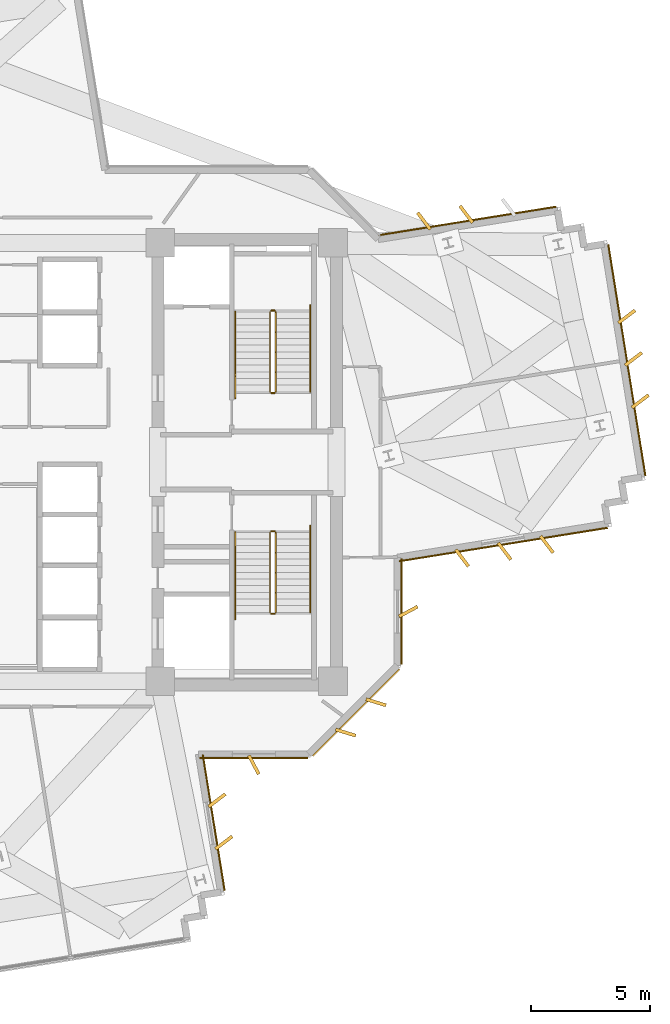
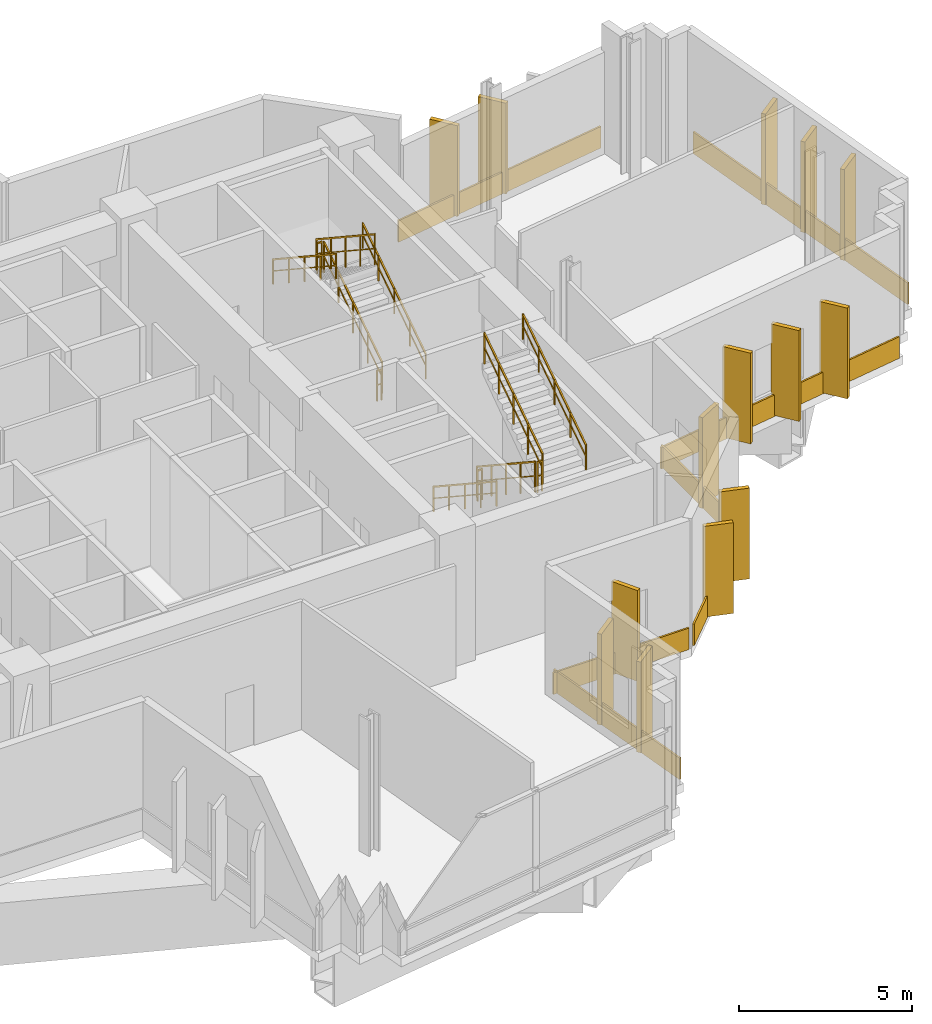
# One storey, part 11 of 12: 21 coverings, 12 railings.
"""IFC4 building model written with IfcOpenShell, lengths in metres."""

from ifc_helpers import new_model, si_unit, direction, frame, origin, origin_2d, place, context, subcontext, project, spatial, rectangle, extrude, source, transform, mapped, material, layer, layer_set, type_object, element, save


model = new_model("IFC4")

# Units and contexts
model_context = context("Model", 3, precision=1e-05, world=origin(), true_north=direction((0.0, 1.0)))
body_context = subcontext(model_context, "Body", "Model", "MODEL_VIEW")
ifc_project = project(units=[si_unit("LENGTHUNIT", "METRE"), si_unit("AREAUNIT", "SQUARE_METRE"), si_unit("VOLUMEUNIT", "CUBIC_METRE"), si_unit("PLANEANGLEUNIT", "RADIAN"), si_unit("MASSUNIT", "GRAM", prefix="KILO")], contexts=[model_context])

# Site, building, storey
site_placement = place(None, origin())
site = spatial("IfcSite", under=ifc_project, at=site_placement, CompositionType="ELEMENT")
building_placement = place(site_placement, origin())
building = spatial("IfcBuilding", under=site, at=building_placement, Name="Zahravan Cultural Tower", CompositionType="ELEMENT")
storey_placement = place(building_placement, frame((0.0, 0.0, 130.800048828125)))
storey = spatial("IfcBuildingStorey", under=building, at=storey_placement, Name="L29", CompositionType="ELEMENT", Elevation=130.800048828125)

# Railings
ifc_material_1 = material(Name="Steel ASTM A572 Grade 50", Category="steel")
railing_type_1 = type_object("IfcRailingType", Name="RL-STAIR-GRD1150", PredefinedType="BALUSTRADE", material=ifc_material_1)
railing_1_placement = place(storey_placement, frame((47.949951171875, 29.949951171875, 0.1845703125)))
element("IfcRailing", 1, at=railing_1_placement, inside=storey, type_object=railing_type_1, Name="L29 ST-E1 stair guard 1", PredefinedType="BALUSTRADE", context=body_context, shape_type="SweptSolid", body=[
    extrude(rectangle(XDim=0.05, YDim=0.05, at=origin_2d()), frame((0.0, 0.0, 1.0751953125), z_axis=(0.0, 0.834876476806, 0.550437342915), x_axis=(-1.0, 0.0, 0.0)), (0.0, 0.0, 1.0), 4.024658203125),
    extrude(rectangle(XDim=0.032, YDim=0.032, at=origin_2d()), frame((0.0, 0.0, 0.572021484375), z_axis=(0.0, 0.834876476806, 0.550437342915), x_axis=(-1.0, 0.0, 0.0)), (0.0, 0.0, 1.0), 4.024658203125),
    extrude(rectangle(XDim=0.04, YDim=0.04, at=origin_2d()), origin(), (0.0, 0.0, 1.0), 1.10009765625),
    extrude(rectangle(XDim=0.04, YDim=0.04, at=origin_2d()), frame((0.0, 0.840087890625, 0.5537109375)), (0.0, 0.0, 1.0), 1.10009765625),
    extrude(rectangle(XDim=0.04, YDim=0.04, at=origin_2d()), frame((0.0, 1.68017578125, 1.107666015625)), (0.0, 0.0, 1.0), 1.10009765625),
    extrude(rectangle(XDim=0.04, YDim=0.04, at=origin_2d()), frame((0.0, 2.52001953125, 1.66162109375)), (0.0, 0.0, 1.0), 1.10009765625),
    extrude(rectangle(XDim=0.04, YDim=0.04, at=origin_2d()), frame((0.0, 3.360107421875, 2.21533203125)), (0.0, 0.0, 1.0), 1.10009765625),
])
railing_2_placement = place(storey_placement, frame((47.89990234375, 33.360107421875, 2.39990234375)))
element("IfcRailing", 2, at=railing_2_placement, inside=storey, type_object=railing_type_1, Name="L29 ST-E1 stair guard 2", PredefinedType="BALUSTRADE", context=body_context, shape_type="SweptSolid", body=[
    extrude(rectangle(XDim=0.05, YDim=0.05, at=origin_2d()), frame((0.0, 0.0, 1.0751953125), z_axis=(-1.0, 0.0, 0.0), x_axis=(0.0, -1.0, 0.0)), (0.0, 0.0, 1.0), 0.14990234375),
    extrude(rectangle(XDim=0.032, YDim=0.032, at=origin_2d()), frame((0.0, 0.0, 0.572021484375), z_axis=(-1.0, 0.0, 0.0), x_axis=(0.0, -1.0, 0.0)), (0.0, 0.0, 1.0), 0.14990234375),
    extrude(rectangle(XDim=0.04, YDim=0.04, at=origin_2d()), origin(), (0.0, 0.0, 1.0), 1.10009765625),
    extrude(rectangle(XDim=0.04, YDim=0.04, at=origin_2d()), frame((-0.14990234375, 0.0, 0.0)), (0.0, 0.0, 1.0), 1.10009765625),
])
railing_3_placement = place(storey_placement, frame((47.699951171875, 33.31005859375, 2.58447265625)))
element("IfcRailing", 3, at=railing_3_placement, inside=storey, type_object=railing_type_1, Name="L29 ST-E1 stair guard 3", PredefinedType="BALUSTRADE", context=body_context, shape_type="SweptSolid", body=[
    extrude(rectangle(XDim=0.05, YDim=0.05, at=origin_2d()), frame((0.0, 0.0, 1.0751953125), z_axis=(0.0, -0.834848600103, 0.550479622607), x_axis=(1.0, 0.0, 0.0)), (0.0, 0.0, 1.0), 4.02490234375),
    extrude(rectangle(XDim=0.032, YDim=0.032, at=origin_2d()), frame((0.0, 0.0, 0.572021484375), z_axis=(0.0, -0.834848600103, 0.550479622607), x_axis=(1.0, 0.0, 0.0)), (0.0, 0.0, 1.0), 4.02490234375),
    extrude(rectangle(XDim=0.04, YDim=0.04, at=origin_2d()), origin(), (0.0, 0.0, 1.0), 1.10009765625),
    extrude(rectangle(XDim=0.04, YDim=0.04, at=origin_2d()), frame((0.0, -0.840087890625, 0.553955078125)), (0.0, 0.0, 1.0), 1.10009765625),
    extrude(rectangle(XDim=0.04, YDim=0.04, at=origin_2d()), frame((0.0, -1.68017578125, 1.10791015625)), (0.0, 0.0, 1.0), 1.10009765625),
    extrude(rectangle(XDim=0.04, YDim=0.04, at=origin_2d()), frame((0.0, -2.52001953125, 1.66162109375)), (0.0, 0.0, 1.0), 1.10009765625),
    extrude(rectangle(XDim=0.04, YDim=0.04, at=origin_2d()), frame((0.0, -3.360107421875, 2.215576171875)), (0.0, 0.0, 1.0), 1.10009765625),
])
railing_4_placement = place(storey_placement, frame((47.89990234375, 29.89990234375, 0.0)))
element("IfcRailing", 4, at=railing_4_placement, inside=storey, type_object=railing_type_1, Name="L29 ST-E1 stair guard 4", PredefinedType="BALUSTRADE", context=body_context, shape_type="SweptSolid", body=[
    extrude(rectangle(XDim=0.05, YDim=0.05, at=origin_2d()), frame((0.0, 0.0, 1.0751953125), z_axis=(-1.0, 0.0, 0.0), x_axis=(0.0, -1.0, 0.0)), (0.0, 0.0, 1.0), 0.14990234375),
    extrude(rectangle(XDim=0.032, YDim=0.032, at=origin_2d()), frame((0.0, 0.0, 0.572021484375), z_axis=(-1.0, 0.0, 0.0), x_axis=(0.0, -1.0, 0.0)), (0.0, 0.0, 1.0), 0.14990234375),
    extrude(rectangle(XDim=0.04, YDim=0.04, at=origin_2d()), origin(), (0.0, 0.0, 1.0), 1.10009765625),
    extrude(rectangle(XDim=0.04, YDim=0.04, at=origin_2d()), frame((-0.14990234375, 0.0, 0.0)), (0.0, 0.0, 1.0), 1.10009765625),
])
railing_5_placement = place(storey_placement, frame((47.699951171875, 24.050048828125, 0.1845703125)))
element("IfcRailing", 5, at=railing_5_placement, inside=storey, type_object=railing_type_1, Name="L29 ST-E2 stair guard 1", PredefinedType="BALUSTRADE", context=body_context, shape_type="SweptSolid", body=[
    extrude(rectangle(XDim=0.05, YDim=0.05, at=origin_2d()), frame((0.0, 0.0, 1.0751953125), z_axis=(0.0, -0.834876476806, 0.550437342915), x_axis=(1.0, 0.0, 0.0)), (0.0, 0.0, 1.0), 4.024658203125),
    extrude(rectangle(XDim=0.032, YDim=0.032, at=origin_2d()), frame((0.0, 0.0, 0.572021484375), z_axis=(0.0, -0.834876476806, 0.550437342915), x_axis=(1.0, 0.0, 0.0)), (0.0, 0.0, 1.0), 4.024658203125),
    extrude(rectangle(XDim=0.04, YDim=0.04, at=origin_2d()), origin(), (0.0, 0.0, 1.0), 1.10009765625),
    extrude(rectangle(XDim=0.04, YDim=0.04, at=origin_2d()), frame((0.0, -0.840087890625, 0.5537109375)), (0.0, 0.0, 1.0), 1.10009765625),
    extrude(rectangle(XDim=0.04, YDim=0.04, at=origin_2d()), frame((0.0, -1.68017578125, 1.107666015625)), (0.0, 0.0, 1.0), 1.10009765625),
    extrude(rectangle(XDim=0.04, YDim=0.04, at=origin_2d()), frame((0.0, -2.52001953125, 1.66162109375)), (0.0, 0.0, 1.0), 1.10009765625),
    extrude(rectangle(XDim=0.04, YDim=0.04, at=origin_2d()), frame((0.0, -3.360107421875, 2.21533203125)), (0.0, 0.0, 1.0), 1.10009765625),
])
railing_6_placement = place(storey_placement, frame((47.75, 20.639892578125, 2.39990234375)))
element("IfcRailing", 6, at=railing_6_placement, inside=storey, type_object=railing_type_1, Name="L29 ST-E2 stair guard 2", PredefinedType="BALUSTRADE", context=body_context, shape_type="SweptSolid", body=[
    extrude(rectangle(XDim=0.05, YDim=0.05, at=origin_2d()), frame((0.0, 0.0, 1.0751953125), z_axis=(1.0, 0.0, 0.0), x_axis=(0.0, 1.0, 0.0)), (0.0, 0.0, 1.0), 0.14990234375),
    extrude(rectangle(XDim=0.032, YDim=0.032, at=origin_2d()), frame((0.0, 0.0, 0.572021484375), z_axis=(1.0, 0.0, 0.0), x_axis=(0.0, 1.0, 0.0)), (0.0, 0.0, 1.0), 0.14990234375),
    extrude(rectangle(XDim=0.04, YDim=0.04, at=origin_2d()), origin(), (0.0, 0.0, 1.0), 1.10009765625),
    extrude(rectangle(XDim=0.04, YDim=0.04, at=origin_2d()), frame((0.14990234375, 0.0, 0.0)), (0.0, 0.0, 1.0), 1.10009765625),
])
railing_7_placement = place(storey_placement, frame((47.949951171875, 20.68994140625, 2.58447265625)))
element("IfcRailing", 7, at=railing_7_placement, inside=storey, type_object=railing_type_1, Name="L29 ST-E2 stair guard 3", PredefinedType="BALUSTRADE", context=body_context, shape_type="SweptSolid", body=[
    extrude(rectangle(XDim=0.05, YDim=0.05, at=origin_2d()), frame((0.0, 0.0, 1.0751953125), z_axis=(0.0, 0.834848600103, 0.550479622607), x_axis=(-1.0, 0.0, 0.0)), (0.0, 0.0, 1.0), 4.02490234375),
    extrude(rectangle(XDim=0.032, YDim=0.032, at=origin_2d()), frame((0.0, 0.0, 0.572021484375), z_axis=(0.0, 0.834848600103, 0.550479622607), x_axis=(-1.0, 0.0, 0.0)), (0.0, 0.0, 1.0), 4.02490234375),
    extrude(rectangle(XDim=0.04, YDim=0.04, at=origin_2d()), origin(), (0.0, 0.0, 1.0), 1.10009765625),
    extrude(rectangle(XDim=0.04, YDim=0.04, at=origin_2d()), frame((0.0, 0.840087890625, 0.553955078125)), (0.0, 0.0, 1.0), 1.10009765625),
    extrude(rectangle(XDim=0.04, YDim=0.04, at=origin_2d()), frame((0.0, 1.68017578125, 1.10791015625)), (0.0, 0.0, 1.0), 1.10009765625),
    extrude(rectangle(XDim=0.04, YDim=0.04, at=origin_2d()), frame((0.0, 2.52001953125, 1.66162109375)), (0.0, 0.0, 1.0), 1.10009765625),
    extrude(rectangle(XDim=0.04, YDim=0.04, at=origin_2d()), frame((0.0, 3.360107421875, 2.215576171875)), (0.0, 0.0, 1.0), 1.10009765625),
])
railing_8_placement = place(storey_placement, frame((47.75, 24.10009765625, 0.0)))
element("IfcRailing", 8, at=railing_8_placement, inside=storey, type_object=railing_type_1, Name="L29 ST-E2 stair guard 4", PredefinedType="BALUSTRADE", context=body_context, shape_type="SweptSolid", body=[
    extrude(rectangle(XDim=0.05, YDim=0.05, at=origin_2d()), frame((0.0, 0.0, 1.0751953125), z_axis=(1.0, 0.0, 0.0), x_axis=(0.0, 1.0, 0.0)), (0.0, 0.0, 1.0), 0.14990234375),
    extrude(rectangle(XDim=0.032, YDim=0.032, at=origin_2d()), frame((0.0, 0.0, 0.572021484375), z_axis=(1.0, 0.0, 0.0), x_axis=(0.0, 1.0, 0.0)), (0.0, 0.0, 1.0), 0.14990234375),
    extrude(rectangle(XDim=0.04, YDim=0.04, at=origin_2d()), origin(), (0.0, 0.0, 1.0), 1.10009765625),
    extrude(rectangle(XDim=0.04, YDim=0.04, at=origin_2d()), frame((0.14990234375, 0.0, 0.0)), (0.0, 0.0, 1.0), 1.10009765625),
])
railing_type_2 = type_object("IfcRailingType", Name="RL-STAIR-HR900", PredefinedType="HANDRAIL", material=ifc_material_1)
railing_9_placement = place(storey_placement, frame((49.39990234375, 29.949951171875, 0.1845703125)))
element("IfcRailing", 9, at=railing_9_placement, inside=storey, type_object=railing_type_2, Name="L29 ST-E1 stair handrail 1", PredefinedType="HANDRAIL", context=body_context, shape_type="SweptSolid", body=[
    extrude(rectangle(XDim=0.05, YDim=0.05, at=origin_2d()), frame((0.0, 0.0, 0.875), z_axis=(0.0, 0.83488217925, 0.55042869363), x_axis=(-1.0, 0.0, 0.0)), (0.0, 0.0, 1.0), 4.360107421875),
    extrude(rectangle(XDim=0.032, YDim=0.032, at=origin_2d()), frame((0.0, 0.0, 0.468017578125), z_axis=(0.0, 0.83488217925, 0.55042869363), x_axis=(-1.0, 0.0, 0.0)), (0.0, 0.0, 1.0), 4.360107421875),
    extrude(rectangle(XDim=0.04, YDim=0.04, at=origin_2d()), origin(), (0.0, 0.0, 1.0), 0.89990234375),
    extrude(rectangle(XDim=0.04, YDim=0.04, at=origin_2d()), frame((0.0, 0.91015625, 0.60009765625)), (0.0, 0.0, 1.0), 0.89990234375),
    extrude(rectangle(XDim=0.04, YDim=0.04, at=origin_2d()), frame((0.0, 1.820068359375, 1.199951171875)), (0.0, 0.0, 1.0), 0.89990234375),
    extrude(rectangle(XDim=0.04, YDim=0.04, at=origin_2d()), frame((0.0, 2.72998046875, 1.7998046875)), (0.0, 0.0, 1.0), 0.89990234375),
    extrude(rectangle(XDim=0.04, YDim=0.04, at=origin_2d()), frame((0.0, 3.64013671875, 2.39990234375)), (0.0, 0.0, 1.0), 0.89990234375),
])
railing_10_placement = place(storey_placement, frame((46.25, 33.31005859375, 2.58447265625)))
element("IfcRailing", 10, at=railing_10_placement, inside=storey, type_object=railing_type_2, Name="L29 ST-E1 stair handrail 2", PredefinedType="HANDRAIL", context=body_context, shape_type="SweptSolid", body=[
    extrude(rectangle(XDim=0.05, YDim=0.05, at=origin_2d()), frame((0.0, 0.0, 0.875), z_axis=(0.0, -0.834856447115, 0.55046772177), x_axis=(1.0, 0.0, 0.0)), (0.0, 0.0, 1.0), 4.360107421875),
    extrude(rectangle(XDim=0.032, YDim=0.032, at=origin_2d()), frame((0.0, 0.0, 0.468017578125), z_axis=(0.0, -0.834856447115, 0.55046772177), x_axis=(1.0, 0.0, 0.0)), (0.0, 0.0, 1.0), 4.360107421875),
    extrude(rectangle(XDim=0.04, YDim=0.04, at=origin_2d()), origin(), (0.0, 0.0, 1.0), 0.89990234375),
    extrude(rectangle(XDim=0.04, YDim=0.04, at=origin_2d()), frame((0.0, -0.91015625, 0.60009765625)), (0.0, 0.0, 1.0), 0.89990234375),
    extrude(rectangle(XDim=0.04, YDim=0.04, at=origin_2d()), frame((0.0, -1.820068359375, 1.2001953125)), (0.0, 0.0, 1.0), 0.89990234375),
    extrude(rectangle(XDim=0.04, YDim=0.04, at=origin_2d()), frame((0.0, -2.72998046875, 1.800048828125)), (0.0, 0.0, 1.0), 0.89990234375),
    extrude(rectangle(XDim=0.04, YDim=0.04, at=origin_2d()), frame((0.0, -3.64013671875, 2.400146484375)), (0.0, 0.0, 1.0), 0.89990234375),
])
railing_11_placement = place(storey_placement, frame((46.25, 24.050048828125, 0.1845703125)))
element("IfcRailing", 11, at=railing_11_placement, inside=storey, type_object=railing_type_2, Name="L29 ST-E2 stair handrail 1", PredefinedType="HANDRAIL", context=body_context, shape_type="SweptSolid", body=[
    extrude(rectangle(XDim=0.05, YDim=0.05, at=origin_2d()), frame((0.0, 0.0, 0.875), z_axis=(0.0, -0.83488217925, 0.55042869363), x_axis=(1.0, 0.0, 0.0)), (0.0, 0.0, 1.0), 4.360107421875),
    extrude(rectangle(XDim=0.032, YDim=0.032, at=origin_2d()), frame((0.0, 0.0, 0.468017578125), z_axis=(0.0, -0.83488217925, 0.55042869363), x_axis=(1.0, 0.0, 0.0)), (0.0, 0.0, 1.0), 4.360107421875),
    extrude(rectangle(XDim=0.04, YDim=0.04, at=origin_2d()), origin(), (0.0, 0.0, 1.0), 0.89990234375),
    extrude(rectangle(XDim=0.04, YDim=0.04, at=origin_2d()), frame((0.0, -0.91015625, 0.60009765625)), (0.0, 0.0, 1.0), 0.89990234375),
    extrude(rectangle(XDim=0.04, YDim=0.04, at=origin_2d()), frame((0.0, -1.820068359375, 1.199951171875)), (0.0, 0.0, 1.0), 0.89990234375),
    extrude(rectangle(XDim=0.04, YDim=0.04, at=origin_2d()), frame((0.0, -2.72998046875, 1.7998046875)), (0.0, 0.0, 1.0), 0.89990234375),
    extrude(rectangle(XDim=0.04, YDim=0.04, at=origin_2d()), frame((0.0, -3.64013671875, 2.39990234375)), (0.0, 0.0, 1.0), 0.89990234375),
])
railing_12_placement = place(storey_placement, frame((49.39990234375, 20.68994140625, 2.58447265625)))
element("IfcRailing", 12, at=railing_12_placement, inside=storey, type_object=railing_type_2, Name="L29 ST-E2 stair handrail 2", PredefinedType="HANDRAIL", context=body_context, shape_type="SweptSolid", body=[
    extrude(rectangle(XDim=0.05, YDim=0.05, at=origin_2d()), frame((0.0, 0.0, 0.875), z_axis=(0.0, 0.834856447115, 0.55046772177), x_axis=(-1.0, 0.0, 0.0)), (0.0, 0.0, 1.0), 4.360107421875),
    extrude(rectangle(XDim=0.032, YDim=0.032, at=origin_2d()), frame((0.0, 0.0, 0.468017578125), z_axis=(0.0, 0.834856447115, 0.55046772177), x_axis=(-1.0, 0.0, 0.0)), (0.0, 0.0, 1.0), 4.360107421875),
    extrude(rectangle(XDim=0.04, YDim=0.04, at=origin_2d()), origin(), (0.0, 0.0, 1.0), 0.89990234375),
    extrude(rectangle(XDim=0.04, YDim=0.04, at=origin_2d()), frame((0.0, 0.91015625, 0.60009765625)), (0.0, 0.0, 1.0), 0.89990234375),
    extrude(rectangle(XDim=0.04, YDim=0.04, at=origin_2d()), frame((0.0, 1.820068359375, 1.2001953125)), (0.0, 0.0, 1.0), 0.89990234375),
    extrude(rectangle(XDim=0.04, YDim=0.04, at=origin_2d()), frame((0.0, 2.72998046875, 1.800048828125)), (0.0, 0.0, 1.0), 0.89990234375),
    extrude(rectangle(XDim=0.04, YDim=0.04, at=origin_2d()), frame((0.0, 3.64013671875, 2.400146484375)), (0.0, 0.0, 1.0), 0.89990234375),
])

# Coverings
ifc_material_2 = material(Name="Terracotta ceramic cladding", Category="masonry")
ifc_layer = layer(ifc_material_2, 0.06005859375)
ifc_layer_set = layer_set([ifc_layer], Name="Terracotta ceramic cladding")
covering_type = type_object("IfcCoveringType", Name="COV-CLAD-TC60", PredefinedType="CLADDING", material=ifc_layer_set)
shared_shape_1 = source(origin(), body_context, "Body", "SweptSolid", [
    extrude(rectangle(XDim=9.820068359375, YDim=0.06005859375, at=origin_2d()), origin(), (0.0, 0.0, 1.0), 0.760009765625),
])
covering_1_placement = place(storey_placement, frame((62.683349609375, 31.283447265625, 0.02001953125), z_axis=(0.0, 0.0, 1.0), x_axis=(0.158502730052, -0.987358539015, 0.0)))
element("IfcCovering", 13, at=covering_1_placement, inside=storey, type_object=covering_type, Name="L29 Terracotta Spandrel Cladding 06", PredefinedType="CLADDING", context=body_context, shape_type="MappedRepresentation", body=[
    mapped(shared_shape_1, transform((0.0, 0.0, 0.0), x_axis=(1.0, 0.0, 0.0), y_axis=(0.0, 1.0, 0.0), z_axis=(0.0, 0.0, 1.0), scale=1.0)),
])
shared_shape_2 = source(origin(), body_context, "Body", "SweptSolid", [
    extrude(rectangle(XDim=5.157958984375, YDim=0.06005859375, at=origin_2d()), origin(), (0.0, 0.0, 1.0), 0.760009765625),
])
covering_2_placement = place(storey_placement, frame((51.317626953125, 16.482421875, 0.02001953125), z_axis=(0.0, 0.0, 1.0), x_axis=(-0.707106781187, -0.707106781187, 0.0)))
element("IfcCovering", 14, at=covering_2_placement, inside=storey, type_object=covering_type, Name="L29 Terracotta Spandrel Cladding 13", PredefinedType="CLADDING", context=body_context, shape_type="MappedRepresentation", body=[
    mapped(shared_shape_2, transform((0.0, 0.0, 0.0), x_axis=(1.0, 0.0, 0.0), y_axis=(0.0, 1.0, 0.0), z_axis=(0.0, 0.0, 1.0), scale=1.0)),
])
shared_shape_3 = source(origin(), body_context, "Body", "SweptSolid", [
    extrude(rectangle(XDim=7.53466796875, YDim=0.06005859375, at=origin_2d()), origin(), (0.0, 0.0, 1.0), 0.760009765625),
])
covering_3_placement = place(storey_placement, frame((55.9912109375, 37.12158203125, 0.02001953125), z_axis=(0.0, 0.0, 1.0), x_axis=(0.987358539015, 0.158502730052, 0.0)))
element("IfcCovering", 15, at=covering_3_placement, inside=storey, type_object=covering_type, Name="L29 Terracotta Spandrel Cladding 01", PredefinedType="CLADDING", context=body_context, shape_type="MappedRepresentation", body=[
    mapped(shared_shape_3, transform((0.0, 0.0, 0.0), x_axis=(1.0, 0.0, 0.0), y_axis=(0.0, 1.0, 0.0), z_axis=(0.0, 0.0, 1.0), scale=1.0)),
])
shared_shape_4 = source(origin(), body_context, "Body", "SweptSolid", [
    extrude(rectangle(XDim=0.8798828125, YDim=0.139892578125, at=origin_2d()), origin(), (0.0, 0.0, 1.0), 3.199951171875),
])
for number, where, z_axis, x_axis, name in (
    (16, (54.168701171875, 37.117919921875, 0.0498046875), (0.0, 0.0, 1.0), (-0.603486360302, 0.797373320929, 0.0), "L29 Herringbone Terracotta Fin 01"),
    (17, (55.946044921875, 37.403076171875, 0.0498046875), (0.0, 0.0, 1.0), (-0.603486360302, 0.797373320929, 0.0), "L29 Herringbone Terracotta Fin 02"),
    (18, (62.679443359375, 33.10595703125, 0.0498046875), (0.0, 0.0, 1.0), (0.797373320929, 0.603486360302, 0.0), "L29 Herringbone Terracotta Fin 04"),
    (19, (62.96484375, 31.32861328125, 0.0498046875), (0.0, 0.0, 1.0), (0.797373320929, 0.603486360302, 0.0), "L29 Herringbone Terracotta Fin 05"),
    (20, (63.25, 29.551513671875, 0.0498046875), (0.0, 0.0, 1.0), (0.797373320929, 0.603486360302, 0.0), "L29 Herringbone Terracotta Fin 06"),
    (21, (59.327392578125, 23.543701171875, 0.0498046875), (0.0, 0.0, 1.0), (0.603486360302, -0.797373320929, 0.0), "L29 Herringbone Terracotta Fin 07"),
    (22, (57.550048828125, 23.25830078125, 0.0498046875), (0.0, 0.0, 1.0), (0.603486360302, -0.797373320929, 0.0), "L29 Herringbone Terracotta Fin 08"),
    (23, (55.77294921875, 22.97314453125, 0.0498046875), (0.0, 0.0, 1.0), (0.603486360302, -0.797373320929, 0.0), "L29 Herringbone Terracotta Fin 09"),
    (24, (53.510009765625, 20.7255859375, 0.0498046875), (0.0, 0.0, 1.0), (0.882947592859, 0.469471562786, 0.0), "L29 Herringbone Terracotta Fin 10"),
    (25, (52.155517578125, 16.917236328125, 0.0498046875), (0.0, 0.0, 1.0), (0.956304755963, -0.292371704723, 0.0), "L29 Herringbone Terracotta Fin 11"),
    (26, (50.8828125, 15.644287109375, 0.0498046875), (0.0, 0.0, 1.0), (0.956304755963, -0.292371704723, 0.0), "L29 Herringbone Terracotta Fin 12"),
    (27, (47.027587890625, 14.2900390625, 0.0498046875), (0.0, 0.0, 1.0), (0.469471562786, -0.882947592859, 0.0), "L29 Herringbone Terracotta Fin 13"),
    (28, (45.480712890625, 12.800048828125, 0.0498046875), (0.0, 0.0, 1.0), (0.797373320929, 0.603486360302, 0.0), "L29 Herringbone Terracotta Fin 14"),
    (29, (45.765869140625, 11.022705078125, 0.0498046875), (0.0, 0.0, 1.0), (0.797373320929, 0.603486360302, 0.0), "L29 Herringbone Terracotta Fin 15"),
):
    element("IfcCovering", number, at=place(storey_placement, frame(where, z_axis=z_axis, x_axis=x_axis)), inside=storey, type_object=covering_type, Name=name, PredefinedType="CLADDING", context=body_context, shape_type="MappedRepresentation", body=[
        mapped(shared_shape_4, transform((0.0, 0.0, 0.0), x_axis=(1.0, 0.0, 0.0), y_axis=(0.0, 1.0, 0.0), z_axis=(0.0, 0.0, 1.0), scale=1.0)),
    ])
shared_shape_5 = source(origin(), body_context, "Body", "SweptSolid", [
    extrude(rectangle(XDim=8.8505859375, YDim=0.06005859375, at=origin_2d()), origin(), (0.0, 0.0, 1.0), 0.760009765625),
])
covering_4_placement = place(storey_placement, frame((57.5048828125, 23.539794921875, 0.02001953125), z_axis=(0.0, 0.0, 1.0), x_axis=(-0.987358539015, -0.158502730052, 0.0)))
element("IfcCovering", 30, at=covering_4_placement, inside=storey, type_object=covering_type, Name="L29 Terracotta Spandrel Cladding 11", PredefinedType="CLADDING", context=body_context, shape_type="MappedRepresentation", body=[
    mapped(shared_shape_5, transform((0.0, 0.0, 0.0), x_axis=(1.0, 0.0, 0.0), y_axis=(0.0, 1.0, 0.0), z_axis=(0.0, 0.0, 1.0), scale=1.0)),
])
shared_shape_6 = source(origin(), body_context, "Body", "SweptSolid", [
    extrude(rectangle(XDim=4.435302734375, YDim=0.06005859375, at=origin_2d()), origin(), (0.0, 0.0, 1.0), 0.760009765625),
])
covering_5_placement = place(storey_placement, frame((53.22509765625, 20.7255859375, 0.02001953125), z_axis=(0.0, 0.0, 1.0), x_axis=(0.0, -1.0, 0.0)))
element("IfcCovering", 31, at=covering_5_placement, inside=storey, type_object=covering_type, Name="L29 Terracotta Spandrel Cladding 12", PredefinedType="CLADDING", context=body_context, shape_type="MappedRepresentation", body=[
    mapped(shared_shape_6, transform((0.0, 0.0, 0.0), x_axis=(1.0, 0.0, 0.0), y_axis=(0.0, 1.0, 0.0), z_axis=(0.0, 0.0, 1.0), scale=1.0)),
])
shared_shape_7 = source(origin(), body_context, "Body", "SweptSolid", [
    extrude(rectangle(XDim=4.528564453125, YDim=0.06005859375, at=origin_2d()), origin(), (0.0, 0.0, 1.0), 0.760009765625),
])
covering_6_placement = place(storey_placement, frame((47.027587890625, 14.574951171875, 0.02001953125), z_axis=(0.0, 0.0, 1.0), x_axis=(-1.0, 0.0, 0.0)))
element("IfcCovering", 32, at=covering_6_placement, inside=storey, type_object=covering_type, Name="L29 Terracotta Spandrel Cladding 14", PredefinedType="CLADDING", context=body_context, shape_type="MappedRepresentation", body=[
    mapped(shared_shape_7, transform((0.0, 0.0, 0.0), x_axis=(1.0, 0.0, 0.0), y_axis=(0.0, 1.0, 0.0), z_axis=(0.0, 0.0, 1.0), scale=1.0)),
])
shared_shape_8 = source(origin(), body_context, "Body", "SweptSolid", [
    extrude(rectangle(XDim=5.77392578125, YDim=0.06005859375, at=origin_2d()), origin(), (0.0, 0.0, 1.0), 0.760009765625),
])
covering_7_placement = place(storey_placement, frame((45.341796875, 11.8662109375, 0.02001953125), z_axis=(0.0, 0.0, 1.0), x_axis=(0.158502730052, -0.987358539015, 0.0)))
element("IfcCovering", 33, at=covering_7_placement, inside=storey, type_object=covering_type, Name="L29 Terracotta Spandrel Cladding 15", PredefinedType="CLADDING", context=body_context, shape_type="MappedRepresentation", body=[
    mapped(shared_shape_8, transform((0.0, 0.0, 0.0), x_axis=(1.0, 0.0, 0.0), y_axis=(0.0, 1.0, 0.0), z_axis=(0.0, 0.0, 1.0), scale=1.0)),
])

save(model, "model.ifc")
